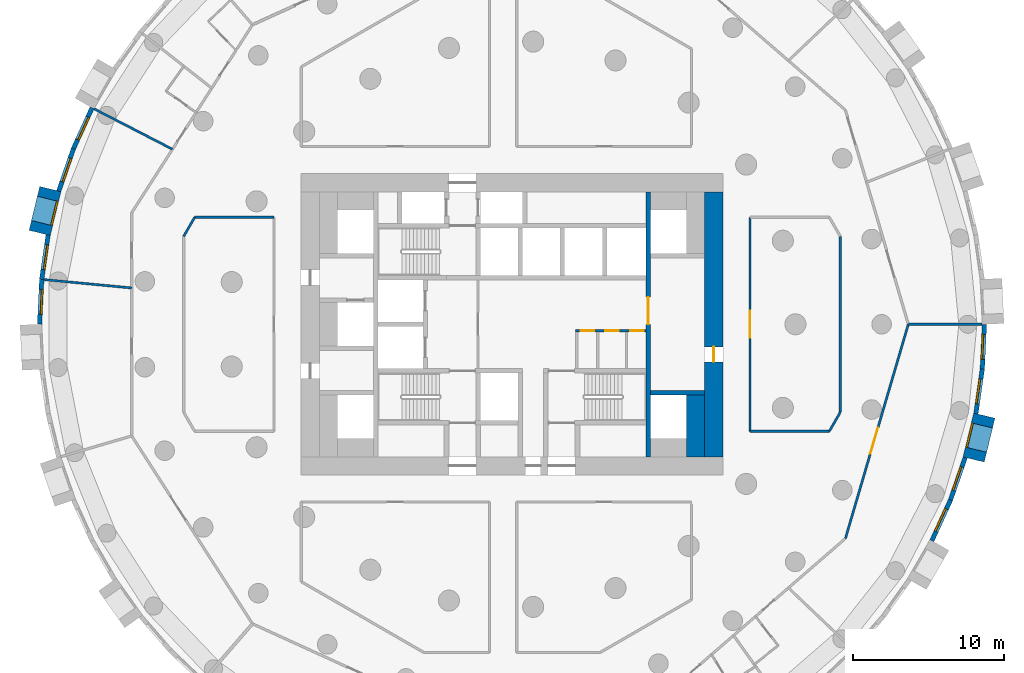
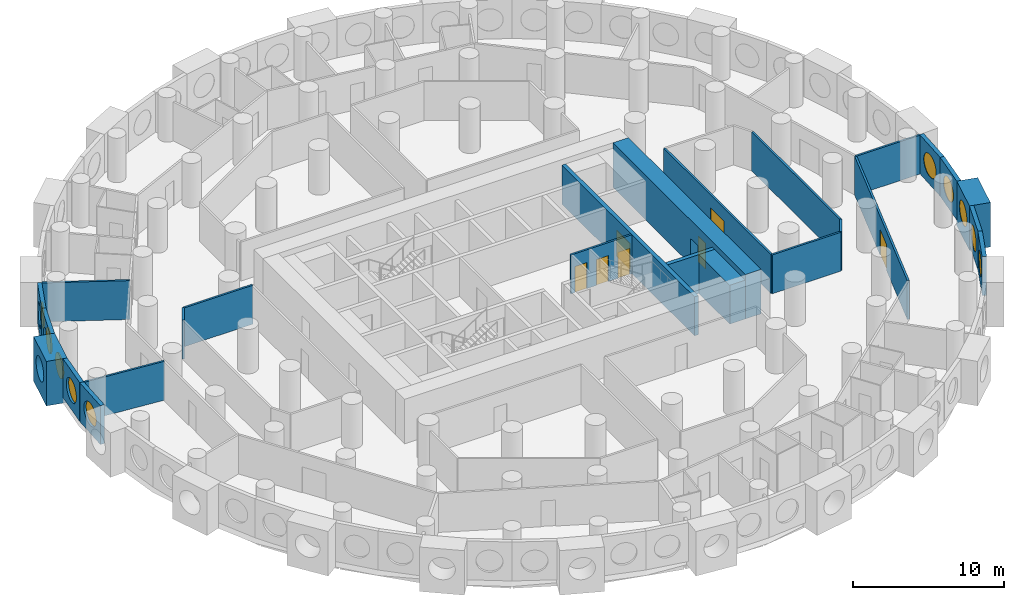
# One storey, part 6 of 11: 25 walls, 10 windows, 7 doors, 17 openings.
"""IFC4 building model written with IfcOpenShell, lengths in metres."""

from ifc_helpers import new_model, si_unit, direction, frame, frame_2d, origin, origin_2d, place, context, subcontext, project, spatial, rectangle, circle, extrude, material, layer, layer_set, type_object, element, fill, save


model = new_model("IFC4")

# Units and contexts
model_context = context("Model", 3, precision=1e-05, world=origin(), true_north=direction((0.0, 1.0)))
body_context = subcontext(model_context, "Body", "Model", "MODEL_VIEW")
ifc_project = project(units=[si_unit("LENGTHUNIT", "METRE"), si_unit("AREAUNIT", "SQUARE_METRE"), si_unit("VOLUMEUNIT", "CUBIC_METRE"), si_unit("PLANEANGLEUNIT", "RADIAN"), si_unit("MASSUNIT", "GRAM", prefix="KILO")], contexts=[model_context])

# Site, building, storey
site_placement = place(None, origin())
site = spatial("IfcSite", under=ifc_project, at=site_placement, CompositionType="ELEMENT")
building_placement = place(site_placement, origin())
building = spatial("IfcBuilding", under=site, at=building_placement, Name="Tracery Tower", CompositionType="ELEMENT")
storey_placement = place(building_placement, frame((0.0, 0.0, 93.0)))
storey = spatial("IfcBuildingStorey", under=building, at=storey_placement, Name="L23", CompositionType="ELEMENT", Elevation=93.0)

# Wall, openings, doors
ifc_material_1 = material(Name="Plasterboard on steel studs", Category="steel")
ifc_layer_1 = layer(ifc_material_1, 0.14990234375)
ifc_layer_set_1 = layer_set([ifc_layer_1], Name="Core room partition 150")
wall_type_1 = type_object("IfcWallType", Name="Core room partition 150", PredefinedType="SOLIDWALL", material=ifc_layer_set_1)
wall_1_placement = place(storey_placement, frame((4.22509765625, -0.425048828125, 0.0), z_axis=(0.0, 0.0, 1.0), x_axis=(1.0, 0.0, 0.0)))
wall_1 = element("IfcWall", 1, at=wall_1_placement, inside=storey, type_object=wall_type_1, Name="L23 slot N", PredefinedType="SOLIDWALL", context=body_context, shape_type="SweptSolid", body=[
    extrude(rectangle(XDim=4.6748046875, YDim=0.14990234375, at=frame_2d((2.33740234375, 0.0))), origin(), (0.0, 0.0, 1.0), 3.14990234375),
])
opening_1_placement = place(wall_1_placement, frame((0.324951171875, 0.0, 0.0)))
opening_1 = element("IfcOpeningElement", 2, at=opening_1_placement, cuts=wall_1, Name="Opening KD27", PredefinedType="OPENING", context=body_context, shape_type="SweptSolid", body=[
    extrude(rectangle(XDim=0.89990234375, YDim=2.10009765625, at=frame_2d((0.449951171875, 1.050048828125))), frame((0.0, 0.074951171875, 0.0), z_axis=(0.0, -1.0, 0.0), x_axis=(1.0, 0.0, 0.0)), (0.0, 0.0, 1.0), 0.14990234375),
])
opening_2_placement = place(wall_1_placement, frame((1.97509765625, 0.0, 0.0)))
opening_2 = element("IfcOpeningElement", 3, at=opening_2_placement, cuts=wall_1, Name="Opening KD21", PredefinedType="OPENING", context=body_context, shape_type="SweptSolid", body=[
    extrude(rectangle(XDim=0.89990234375, YDim=2.10009765625, at=frame_2d((0.449951171875, 1.050048828125))), frame((0.0, 0.074951171875, 0.0), z_axis=(0.0, -1.0, 0.0), x_axis=(1.0, 0.0, 0.0)), (0.0, 0.0, 1.0), 0.14990234375),
])
opening_3_placement = place(wall_1_placement, frame((3.612548828125, 0.0, 0.0)))
opening_3 = element("IfcOpeningElement", 4, at=opening_3_placement, cuts=wall_1, Name="Opening KD27", PredefinedType="OPENING", context=body_context, shape_type="SweptSolid", body=[
    extrude(rectangle(XDim=0.89990234375, YDim=2.10009765625, at=frame_2d((0.449951171875, 1.050048828125))), frame((0.0, 0.074951171875, 0.0), z_axis=(0.0, -1.0, 0.0), x_axis=(1.0, 0.0, 0.0)), (0.0, 0.0, 1.0), 0.14990234375),
])
ifc_material_2 = material(Name="Timber door leaf", Category="wood")
door_type_1 = type_object("IfcDoorType", Name="Core WC door 900", OperationType="NOTDEFINED", PredefinedType="DOOR", material=ifc_material_2)
door_1_placement = place(opening_2_placement, origin())
door_1 = element("IfcDoor", 5, at=door_1_placement, inside=storey, type_object=door_type_1, Name="Core door", OperationType="SINGLE_SWING_LEFT", OverallHeight=2.10009765625, OverallWidth=0.89990234375, PredefinedType="DOOR", context=body_context, shape_type="SweptSolid", body=[
    extrude(rectangle(XDim=0.89990234375, YDim=2.10009765625, at=frame_2d((0.449951171875, 1.050048828125))), frame((0.0, 0.02490234375, 0.0), z_axis=(0.0, -1.0, 0.0), x_axis=(1.0, 0.0, 0.0)), (0.0, 0.0, 1.0), 0.050048828125),
])
fill(opening_2, door_1)
ifc_material_3 = material(Name="Timber door leaf", Category="wood")
door_type_2 = type_object("IfcDoorType", Name="Core store door 900", OperationType="NOTDEFINED", PredefinedType="DOOR", material=ifc_material_3)
door_2_placement = place(opening_1_placement, origin())
door_2 = element("IfcDoor", 6, at=door_2_placement, inside=storey, type_object=door_type_2, Name="Core door", OperationType="SINGLE_SWING_RIGHT", OverallHeight=2.10009765625, OverallWidth=0.89990234375, PredefinedType="DOOR", context=body_context, shape_type="SweptSolid", body=[
    extrude(rectangle(XDim=0.89990234375, YDim=2.10009765625, at=frame_2d((0.449951171875, 1.050048828125))), frame((0.0, 0.02490234375, 0.0), z_axis=(0.0, -1.0, 0.0), x_axis=(1.0, 0.0, 0.0)), (0.0, 0.0, 1.0), 0.050048828125),
])
fill(opening_1, door_2)
door_3_placement = place(opening_3_placement, origin())
door_3 = element("IfcDoor", 7, at=door_3_placement, inside=storey, type_object=door_type_2, Name="Core door", OperationType="SINGLE_SWING_RIGHT", OverallHeight=2.10009765625, OverallWidth=0.89990234375, PredefinedType="DOOR", context=body_context, shape_type="SweptSolid", body=[
    extrude(rectangle(XDim=0.89990234375, YDim=2.10009765625, at=frame_2d((0.449951171875, 1.050048828125))), frame((0.0, 0.02490234375, 0.0), z_axis=(0.0, -1.0, 0.0), x_axis=(1.0, 0.0, 0.0)), (0.0, 0.0, 1.0), 0.050048828125),
])
fill(opening_3, door_3)

# Wall
ifc_material_4 = material(Name="Concrete C60/75", Category="concrete")
ifc_layer_2 = layer(ifc_material_4, 1.199951171875)
ifc_layer_set_2 = layer_set([ifc_layer_2], Name="Core strip wall 1200 C60")
wall_type_2 = type_object("IfcWallType", Name="Core strip wall 1200 C60", PredefinedType="SOLIDWALL", material=ifc_layer_set_2)
wall_2_placement = place(storey_placement, frame((12.199951171875, -8.800048828125, 0.0), z_axis=(0.0, 0.0, 1.0), x_axis=(0.0, 1.0, 0.0)))
element("IfcWall", 8, at=wall_2_placement, inside=storey, type_object=wall_type_2, Name="L23 wing strip +1 -9.4", PredefinedType="SOLIDWALL", context=body_context, shape_type="SweptSolid", body=[
    extrude(rectangle(XDim=4.10009765625, YDim=1.199951171875, at=frame_2d((2.050048828125, 0.0))), origin(), (0.0, 0.0, 1.0), 3.14990234375),
])

# Wall, opening, door
ifc_material_5 = material(Name="Concrete C60/75", Category="concrete")
ifc_layer_3 = layer(ifc_material_5, 1.199951171875)
ifc_layer_set_3 = layer_set([ifc_layer_3], Name="Core wall 1200 C60")
wall_type_3 = type_object("IfcWallType", Name="Core wall 1200 C60", PredefinedType="SOLIDWALL", material=ifc_layer_set_3)
wall_3_placement = place(storey_placement, frame((13.39990234375, -8.800048828125, 0.0), z_axis=(0.0, 0.0, 1.0), x_axis=(0.0, 1.0, 0.0)))
wall_3 = element("IfcWall", 9, at=wall_3_placement, inside=storey, type_object=wall_type_3, Name="L23 outer E", PredefinedType="SOLIDWALL", context=body_context, shape_type="SweptSolid", body=[
    extrude(rectangle(XDim=17.60009765625, YDim=1.199951171875, at=frame_2d((8.800048828125, 0.0))), origin(), (0.0, 0.0, 1.0), 3.60009765625),
])
opening_4_placement = place(wall_3_placement, frame((6.300048828125, 0.0, 0.0)))
opening_4 = element("IfcOpeningElement", 10, at=opening_4_placement, cuts=wall_3, Name="Opening KD18", PredefinedType="OPENING", context=body_context, shape_type="SweptSolid", body=[
    extrude(rectangle(XDim=1.0, YDim=2.10009765625, at=frame_2d((0.5, 1.050048828125))), frame((0.0, 0.60009765625, 0.0), z_axis=(0.0, -1.0, 0.0), x_axis=(1.0, 0.0, 0.0)), (0.0, 0.0, 1.0), 1.199951171875),
])
ifc_material_6 = material(Name="Steel fire door", Category="steel")
door_type_3 = type_object("IfcDoorType", Name="Core exit door 1000", OperationType="NOTDEFINED", PredefinedType="DOOR", material=ifc_material_6)
door_4_placement = place(opening_4_placement, origin())
door_4 = element("IfcDoor", 11, at=door_4_placement, inside=storey, type_object=door_type_3, Name="Core exit door", OperationType="DOUBLE_DOOR_SINGLE_SWING", OverallHeight=2.10009765625, OverallWidth=1.0, PredefinedType="DOOR", context=body_context, shape_type="SweptSolid", body=[
    extrude(rectangle(XDim=1.0, YDim=2.10009765625, at=frame_2d((0.5, 1.050048828125))), frame((0.0, 0.02490234375, 0.0), z_axis=(0.0, -1.0, 0.0), x_axis=(1.0, 0.0, 0.0)), (0.0, 0.0, 1.0), 0.050048828125),
])
fill(opening_4, door_4)

# Wall, opening, window
ifc_material_7 = material(Name="Precast concrete C50/60", Category="concrete")
ifc_layer_4 = layer(ifc_material_7, 1.449951171875)
ifc_layer_set_4 = layer_set([ifc_layer_4], Name="Deep-set bay unit 3000 x 3600, slab edge 450")
wall_type_4 = type_object("IfcWallType", Name="Deep-set bay unit 3000 x 3600, slab edge 450", PredefinedType="ELEMENTEDWALL", material=ifc_layer_set_4)
wall_4_placement = place(storey_placement, frame((-30.66064453125, 8.981689453125, -0.449951171875), z_axis=(0.0, 0.0, 1.0), x_axis=(-0.235751415068, -0.971813392732, 0.0)))
wall_4 = element("IfcWall", 12, at=wall_4_placement, inside=storey, type_object=wall_type_4, Name="Deep-set bay unit 31 at L23", PredefinedType="ELEMENTEDWALL", context=body_context, shape_type="SweptSolid", body=[
    extrude(rectangle(XDim=3.0, YDim=1.449951171875, at=frame_2d((1.5, 0.0))), origin(), (0.0, 0.0, 1.0), 3.599853515625),
])
opening_5_placement = place(wall_4_placement, frame((1.5, 0.0, 2.0)))
opening_5 = element("IfcOpeningElement", 13, at=opening_5_placement, cuts=wall_4, Name="Opening WN1", PredefinedType="OPENING", context=body_context, shape_type="SweptSolid", body=[
    extrude(circle(Radius=0.9000244140625, at=origin_2d()), frame((0.0, 0.73486328125, 0.0), z_axis=(0.0, -1.0, 0.0), x_axis=(1.0, 0.0, 0.0)), (0.0, 0.0, 1.0), 1.469970703125),
])
ifc_material_8 = material(Name="Aluminium frame with tinted double glazing", Category="aluminium")
window_type = type_object("IfcWindowType", Name="Round window 1800", PartitioningType="SINGLE_PANEL", PredefinedType="WINDOW", material=ifc_material_8)
window_1_placement = place(opening_5_placement, origin())
window_1 = element("IfcWindow", 14, at=window_1_placement, inside=storey, type_object=window_type, Name="Round window 31 at L23", OverallHeight=1.800048828125, OverallWidth=1.800048828125, PartitioningType="SINGLE_PANEL", PredefinedType="WINDOW", context=body_context, shape_type="SweptSolid", body=[
    extrude(circle(Radius=0.9000244140625, at=origin_2d()), frame((0.0, 0.69482421875, 0.0), z_axis=(0.0, -1.0, 0.0), x_axis=(1.0, 0.0, 0.0)), (0.0, 0.0, 1.0), 0.10009765625),
])
fill(opening_5, window_1)

wall_5_placement = place(storey_placement, frame((30.66064453125, -8.981689453125, -0.449951171875), z_axis=(0.0, 0.0, 1.0), x_axis=(0.235751415068, 0.971813392732, 0.0)))
wall_5 = element("IfcWall", 15, at=wall_5_placement, inside=storey, type_object=wall_type_4, Name="Deep-set bay unit 64 at L23", PredefinedType="ELEMENTEDWALL", context=body_context, shape_type="SweptSolid", body=[
    extrude(rectangle(XDim=3.0, YDim=1.449951171875, at=frame_2d((1.5, 0.0))), origin(), (0.0, 0.0, 1.0), 3.599853515625),
])
opening_6_placement = place(wall_5_placement, frame((1.5, 0.0, 2.0)))
opening_6 = element("IfcOpeningElement", 16, at=opening_6_placement, cuts=wall_5, Name="Opening WN1", PredefinedType="OPENING", context=body_context, shape_type="SweptSolid", body=[
    extrude(circle(Radius=0.9000244140625, at=origin_2d()), frame((0.0, 0.73486328125, 0.0), z_axis=(0.0, -1.0, 0.0), x_axis=(1.0, 0.0, 0.0)), (0.0, 0.0, 1.0), 1.469970703125),
])
window_2_placement = place(opening_6_placement, origin())
window_2 = element("IfcWindow", 17, at=window_2_placement, inside=storey, type_object=window_type, Name="Round window 64 at L23", OverallHeight=1.800048828125, OverallWidth=1.800048828125, PartitioningType="SINGLE_PANEL", PredefinedType="WINDOW", context=body_context, shape_type="SweptSolid", body=[
    extrude(circle(Radius=0.9000244140625, at=origin_2d()), frame((0.0, 0.69482421875, 0.0), z_axis=(0.0, -1.0, 0.0), x_axis=(1.0, 0.0, 0.0)), (0.0, 0.0, 1.0), 0.10009765625),
])
fill(opening_6, window_2)

ifc_material_9 = material(Name="Precast concrete C50/60", Category="concrete")
ifc_layer_5 = layer(ifc_material_9, 0.300048828125)
ifc_layer_set_5 = layer_set([ifc_layer_5], Name="Facade panel 3000 x 3150")
wall_type_5 = type_object("IfcWallType", Name="Facade panel 3000 x 3150", PredefinedType="SOLIDWALL", material=ifc_layer_set_5)
wall_6_placement = place(storey_placement, frame((-27.88916015625, 14.37109375, 0.0), z_axis=(0.0, 0.0, 1.0), x_axis=(-0.415407317162, -0.909635509888, 0.0)))
wall_6 = element("IfcWall", 18, at=wall_6_placement, inside=storey, type_object=wall_type_5, Name="Facade panel 29 at L23", PredefinedType="SOLIDWALL", context=body_context, shape_type="SweptSolid", body=[
    extrude(rectangle(XDim=2.979736328125, YDim=0.300048828125, at=frame_2d((1.48974609375, 0.0))), origin(), (0.0, 0.0, 1.0), 3.14990234375),
])
opening_7_placement = place(wall_6_placement, frame((1.48974609375, 0.0, 1.5498046875)))
opening_7 = element("IfcOpeningElement", 19, at=opening_7_placement, cuts=wall_6, Name="Opening WN1", PredefinedType="OPENING", context=body_context, shape_type="SweptSolid", body=[
    extrude(circle(Radius=0.9000244140625, at=origin_2d()), frame((0.0, 0.159912109375, 0.0), z_axis=(0.0, -1.0, 0.0), x_axis=(1.0, 0.0, 0.0)), (0.0, 0.0, 1.0), 0.320068359375),
])
window_3_placement = place(opening_7_placement, origin())
window_3 = element("IfcWindow", 20, at=window_3_placement, inside=storey, type_object=window_type, Name="Round window 29 at L23", OverallHeight=1.800048828125, OverallWidth=1.800048828125, PartitioningType="SINGLE_PANEL", PredefinedType="WINDOW", context=body_context, shape_type="SweptSolid", body=[
    extrude(circle(Radius=0.9000244140625, at=origin_2d()), frame((0.0, 0.1201171875, 0.0), z_axis=(0.0, -1.0, 0.0), x_axis=(1.0, 0.0, 0.0)), (0.0, 0.0, 1.0), 0.10009765625),
])
fill(opening_7, window_3)

wall_7_placement = place(storey_placement, frame((-29.126953125, 11.66064453125, 0.0), z_axis=(0.0, 0.0, 1.0), x_axis=(-0.327096492592, -0.944990944154, 0.0)))
wall_7 = element("IfcWall", 21, at=wall_7_placement, inside=storey, type_object=wall_type_5, Name="Facade panel 30 at L23", PredefinedType="SOLIDWALL", context=body_context, shape_type="SweptSolid", body=[
    extrude(rectangle(XDim=2.9794921875, YDim=0.300048828125, at=frame_2d((1.48974609375, 0.0))), origin(), (0.0, 0.0, 1.0), 3.14990234375),
])
opening_8_placement = place(wall_7_placement, frame((1.48974609375, 0.0, 1.5498046875)))
opening_8 = element("IfcOpeningElement", 22, at=opening_8_placement, cuts=wall_7, Name="Opening WN1", PredefinedType="OPENING", context=body_context, shape_type="SweptSolid", body=[
    extrude(circle(Radius=0.9000244140625, at=origin_2d()), frame((0.0, 0.159912109375, 0.0), z_axis=(0.0, -1.0, 0.0), x_axis=(1.0, 0.0, 0.0)), (0.0, 0.0, 1.0), 0.320068359375),
])
window_4_placement = place(opening_8_placement, origin())
window_4 = element("IfcWindow", 23, at=window_4_placement, inside=storey, type_object=window_type, Name="Round window 30 at L23", OverallHeight=1.800048828125, OverallWidth=1.800048828125, PartitioningType="SINGLE_PANEL", PredefinedType="WINDOW", context=body_context, shape_type="SweptSolid", body=[
    extrude(circle(Radius=0.9000244140625, at=origin_2d()), frame((0.0, 0.1201171875, 0.0), z_axis=(0.0, -1.0, 0.0), x_axis=(1.0, 0.0, 0.0)), (0.0, 0.0, 1.0), 0.10009765625),
])
fill(opening_8, window_4)

wall_8_placement = place(storey_placement, frame((-30.808349609375, 5.931640625, 0.0), z_axis=(0.0, 0.0, 1.0), x_axis=(-0.142327539111, -0.989819615693, 0.0)))
wall_8 = element("IfcWall", 24, at=wall_8_placement, inside=storey, type_object=wall_type_5, Name="Facade panel 32 at L23", PredefinedType="SOLIDWALL", context=body_context, shape_type="SweptSolid", body=[
    extrude(rectangle(XDim=2.9794921875, YDim=0.300048828125, at=frame_2d((1.48974609375, 0.0))), origin(), (0.0, 0.0, 1.0), 3.14990234375),
])
opening_9_placement = place(wall_8_placement, frame((1.48974609375, 0.0, 1.5498046875)))
opening_9 = element("IfcOpeningElement", 25, at=opening_9_placement, cuts=wall_8, Name="Opening WN1", PredefinedType="OPENING", context=body_context, shape_type="SweptSolid", body=[
    extrude(circle(Radius=0.9000244140625, at=origin_2d()), frame((0.0, 0.159912109375, 0.0), z_axis=(0.0, -1.0, 0.0), x_axis=(1.0, 0.0, 0.0)), (0.0, 0.0, 1.0), 0.320068359375),
])
window_5_placement = place(opening_9_placement, origin())
window_5 = element("IfcWindow", 26, at=window_5_placement, inside=storey, type_object=window_type, Name="Round window 32 at L23", OverallHeight=1.800048828125, OverallWidth=1.800048828125, PartitioningType="SINGLE_PANEL", PredefinedType="WINDOW", context=body_context, shape_type="SweptSolid", body=[
    extrude(circle(Radius=0.9000244140625, at=origin_2d()), frame((0.0, 0.1201171875, 0.0), z_axis=(0.0, -1.0, 0.0), x_axis=(1.0, 0.0, 0.0)), (0.0, 0.0, 1.0), 0.10009765625),
])
fill(opening_9, window_5)

wall_9_placement = place(storey_placement, frame((-31.232421875, 2.982421875, 0.0), z_axis=(0.0, 0.0, 1.0), x_axis=(-0.047522328113, -0.998870175914, 0.0)))
wall_9 = element("IfcWall", 27, at=wall_9_placement, inside=storey, type_object=wall_type_5, Name="Facade panel 33 at L23", PredefinedType="SOLIDWALL", context=body_context, shape_type="SweptSolid", body=[
    extrude(rectangle(XDim=2.979736328125, YDim=0.300048828125, at=frame_2d((1.48974609375, 0.0))), origin(), (0.0, 0.0, 1.0), 3.14990234375),
])
opening_10_placement = place(wall_9_placement, frame((1.48974609375, 0.0, 1.5498046875)))
opening_10 = element("IfcOpeningElement", 28, at=opening_10_placement, cuts=wall_9, Name="Opening WN1", PredefinedType="OPENING", context=body_context, shape_type="SweptSolid", body=[
    extrude(circle(Radius=0.9000244140625, at=origin_2d()), frame((0.0, 0.159912109375, 0.0), z_axis=(0.0, -1.0, 0.0), x_axis=(1.0, 0.0, 0.0)), (0.0, 0.0, 1.0), 0.320068359375),
])
window_6_placement = place(opening_10_placement, origin())
window_6 = element("IfcWindow", 29, at=window_6_placement, inside=storey, type_object=window_type, Name="Round window 33 at L23", OverallHeight=1.800048828125, OverallWidth=1.800048828125, PartitioningType="SINGLE_PANEL", PredefinedType="WINDOW", context=body_context, shape_type="SweptSolid", body=[
    extrude(circle(Radius=0.9000244140625, at=origin_2d()), frame((0.0, 0.1201171875, 0.0), z_axis=(0.0, -1.0, 0.0), x_axis=(1.0, 0.0, 0.0)), (0.0, 0.0, 1.0), 0.10009765625),
])
fill(opening_10, window_6)

wall_10_placement = place(storey_placement, frame((27.88916015625, -14.37109375, 0.0), z_axis=(0.0, 0.0, 1.0), x_axis=(0.415407317162, 0.909635509888, 0.0)))
wall_10 = element("IfcWall", 30, at=wall_10_placement, inside=storey, type_object=wall_type_5, Name="Facade panel 62 at L23", PredefinedType="SOLIDWALL", context=body_context, shape_type="SweptSolid", body=[
    extrude(rectangle(XDim=2.979736328125, YDim=0.300048828125, at=frame_2d((1.48974609375, 0.0))), origin(), (0.0, 0.0, 1.0), 3.14990234375),
])
opening_11_placement = place(wall_10_placement, frame((1.48974609375, 0.0, 1.5498046875)))
opening_11 = element("IfcOpeningElement", 31, at=opening_11_placement, cuts=wall_10, Name="Opening WN1", PredefinedType="OPENING", context=body_context, shape_type="SweptSolid", body=[
    extrude(circle(Radius=0.9000244140625, at=origin_2d()), frame((0.0, 0.159912109375, 0.0), z_axis=(0.0, -1.0, 0.0), x_axis=(1.0, 0.0, 0.0)), (0.0, 0.0, 1.0), 0.320068359375),
])
window_7_placement = place(opening_11_placement, origin())
window_7 = element("IfcWindow", 32, at=window_7_placement, inside=storey, type_object=window_type, Name="Round window 62 at L23", OverallHeight=1.800048828125, OverallWidth=1.800048828125, PartitioningType="SINGLE_PANEL", PredefinedType="WINDOW", context=body_context, shape_type="SweptSolid", body=[
    extrude(circle(Radius=0.9000244140625, at=origin_2d()), frame((0.0, 0.1201171875, 0.0), z_axis=(0.0, -1.0, 0.0), x_axis=(1.0, 0.0, 0.0)), (0.0, 0.0, 1.0), 0.10009765625),
])
fill(opening_11, window_7)

wall_11_placement = place(storey_placement, frame((29.126953125, -11.66064453125, 0.0), z_axis=(0.0, 0.0, 1.0), x_axis=(0.327096492592, 0.944990944154, 0.0)))
wall_11 = element("IfcWall", 33, at=wall_11_placement, inside=storey, type_object=wall_type_5, Name="Facade panel 63 at L23", PredefinedType="SOLIDWALL", context=body_context, shape_type="SweptSolid", body=[
    extrude(rectangle(XDim=2.9794921875, YDim=0.300048828125, at=frame_2d((1.48974609375, 0.0))), origin(), (0.0, 0.0, 1.0), 3.14990234375),
])
opening_12_placement = place(wall_11_placement, frame((1.48974609375, 0.0, 1.5498046875)))
opening_12 = element("IfcOpeningElement", 34, at=opening_12_placement, cuts=wall_11, Name="Opening WN1", PredefinedType="OPENING", context=body_context, shape_type="SweptSolid", body=[
    extrude(circle(Radius=0.9000244140625, at=origin_2d()), frame((0.0, 0.159912109375, 0.0), z_axis=(0.0, -1.0, 0.0), x_axis=(1.0, 0.0, 0.0)), (0.0, 0.0, 1.0), 0.320068359375),
])
window_8_placement = place(opening_12_placement, origin())
window_8 = element("IfcWindow", 35, at=window_8_placement, inside=storey, type_object=window_type, Name="Round window 63 at L23", OverallHeight=1.800048828125, OverallWidth=1.800048828125, PartitioningType="SINGLE_PANEL", PredefinedType="WINDOW", context=body_context, shape_type="SweptSolid", body=[
    extrude(circle(Radius=0.9000244140625, at=origin_2d()), frame((0.0, 0.1201171875, 0.0), z_axis=(0.0, -1.0, 0.0), x_axis=(1.0, 0.0, 0.0)), (0.0, 0.0, 1.0), 0.10009765625),
])
fill(opening_12, window_8)

wall_12_placement = place(storey_placement, frame((30.808349609375, -5.931640625, 0.0), z_axis=(0.0, 0.0, 1.0), x_axis=(0.142327539111, 0.989819615693, 0.0)))
wall_12 = element("IfcWall", 36, at=wall_12_placement, inside=storey, type_object=wall_type_5, Name="Facade panel 65 at L23", PredefinedType="SOLIDWALL", context=body_context, shape_type="SweptSolid", body=[
    extrude(rectangle(XDim=2.9794921875, YDim=0.300048828125, at=frame_2d((1.48974609375, 0.0))), origin(), (0.0, 0.0, 1.0), 3.14990234375),
])
opening_13_placement = place(wall_12_placement, frame((1.48974609375, 0.0, 1.5498046875)))
opening_13 = element("IfcOpeningElement", 37, at=opening_13_placement, cuts=wall_12, Name="Opening WN1", PredefinedType="OPENING", context=body_context, shape_type="SweptSolid", body=[
    extrude(circle(Radius=0.9000244140625, at=origin_2d()), frame((0.0, 0.159912109375, 0.0), z_axis=(0.0, -1.0, 0.0), x_axis=(1.0, 0.0, 0.0)), (0.0, 0.0, 1.0), 0.320068359375),
])
window_9_placement = place(opening_13_placement, origin())
window_9 = element("IfcWindow", 38, at=window_9_placement, inside=storey, type_object=window_type, Name="Round window 65 at L23", OverallHeight=1.800048828125, OverallWidth=1.800048828125, PartitioningType="SINGLE_PANEL", PredefinedType="WINDOW", context=body_context, shape_type="SweptSolid", body=[
    extrude(circle(Radius=0.9000244140625, at=origin_2d()), frame((0.0, 0.1201171875, 0.0), z_axis=(0.0, -1.0, 0.0), x_axis=(1.0, 0.0, 0.0)), (0.0, 0.0, 1.0), 0.10009765625),
])
fill(opening_13, window_9)

wall_13_placement = place(storey_placement, frame((31.232421875, -2.982421875, 0.0), z_axis=(0.0, 0.0, 1.0), x_axis=(0.047522328113, 0.998870175914, 0.0)))
wall_13 = element("IfcWall", 39, at=wall_13_placement, inside=storey, type_object=wall_type_5, Name="Facade panel 66 at L23", PredefinedType="SOLIDWALL", context=body_context, shape_type="SweptSolid", body=[
    extrude(rectangle(XDim=2.979736328125, YDim=0.300048828125, at=frame_2d((1.48974609375, 0.0))), origin(), (0.0, 0.0, 1.0), 3.14990234375),
])
opening_14_placement = place(wall_13_placement, frame((1.48974609375, 0.0, 1.5498046875)))
opening_14 = element("IfcOpeningElement", 40, at=opening_14_placement, cuts=wall_13, Name="Opening WN1", PredefinedType="OPENING", context=body_context, shape_type="SweptSolid", body=[
    extrude(circle(Radius=0.9000244140625, at=origin_2d()), frame((0.0, 0.159912109375, 0.0), z_axis=(0.0, -1.0, 0.0), x_axis=(1.0, 0.0, 0.0)), (0.0, 0.0, 1.0), 0.320068359375),
])
window_10_placement = place(opening_14_placement, origin())
window_10 = element("IfcWindow", 41, at=window_10_placement, inside=storey, type_object=window_type, Name="Round window 66 at L23", OverallHeight=1.800048828125, OverallWidth=1.800048828125, PartitioningType="SINGLE_PANEL", PredefinedType="WINDOW", context=body_context, shape_type="SweptSolid", body=[
    extrude(circle(Radius=0.9000244140625, at=origin_2d()), frame((0.0, 0.1201171875, 0.0), z_axis=(0.0, -1.0, 0.0), x_axis=(1.0, 0.0, 0.0)), (0.0, 0.0, 1.0), 0.10009765625),
])
fill(opening_14, window_10)

# Walls
ifc_material_10 = material(Name="Plasterboard on steel studs", Category="steel")
ifc_layer_6 = layer(ifc_material_10, 0.14990234375)
ifc_layer_set_6 = layer_set([ifc_layer_6], Name="Partition 150 acoustic unit wall")
wall_type_6 = type_object("IfcWallType", Name="Partition 150 acoustic unit wall", PredefinedType="PARTITIONING", material=ifc_layer_set_6)
wall_14_placement = place(storey_placement, frame((26.319091796875, 0.0, 0.0), z_axis=(0.0, 0.0, 1.0), x_axis=(1.0, 0.0, 0.0)))
element("IfcWall", 42, at=wall_14_placement, inside=storey, type_object=wall_type_6, Name="Unit wall RA7-047", PredefinedType="PARTITIONING", context=body_context, shape_type="SweptSolid", body=[
    extrude(rectangle(XDim=4.905029296875, YDim=0.14990234375, at=frame_2d((2.45263671875, 0.0))), origin(), (0.0, 0.0, 1.0), 3.14990234375),
])
wall_15_placement = place(storey_placement, frame((-27.7529296875, 14.30810546875, 0.0), z_axis=(0.0, 0.0, 1.0), x_axis=(0.88877955153, -0.45833493079, 0.0)))
element("IfcWall", 43, at=wall_15_placement, inside=storey, type_object=wall_type_6, Name="Unit wall RA7-068", PredefinedType="PARTITIONING", context=body_context, shape_type="SweptSolid", body=[
    extrude(rectangle(XDim=5.856201171875, YDim=0.14990234375, at=frame_2d((2.92822265625, 0.0))), origin(), (0.0, 0.0, 1.0), 3.14990234375),
])
wall_16_placement = place(storey_placement, frame((-31.0830078125, 2.968017578125, 0.0), z_axis=(0.0, 0.0, 1.0), x_axis=(0.995465070325, -0.095127775983, 0.0)))
element("IfcWall", 44, at=wall_16_placement, inside=storey, type_object=wall_type_6, Name="Unit wall RA7-069", PredefinedType="PARTITIONING", context=body_context, shape_type="SweptSolid", body=[
    extrude(rectangle(XDim=5.856689453125, YDim=0.14990234375, at=frame_2d((2.92822265625, 0.0))), origin(), (0.0, 0.0, 1.0), 3.14990234375),
])

# Wall, opening, door
ifc_material_11 = material(Name="Plasterboard on steel studs", Category="steel")
ifc_layer_7 = layer(ifc_material_11, 0.14990234375)
ifc_layer_set_7 = layer_set([ifc_layer_7], Name="Partition 150 corridor wall")
wall_type_7 = type_object("IfcWallType", Name="Partition 150 corridor wall", PredefinedType="PARTITIONING", material=ifc_layer_set_7)
wall_17_placement = place(storey_placement, frame((15.800048828125, -7.10400390625, 0.0), z_axis=(0.0, 0.0, 1.0), x_axis=(0.0, 1.0, 0.0)))
wall_17 = element("IfcWall", 45, at=wall_17_placement, inside=storey, type_object=wall_type_7, Name="Corridor wall RA7-005", PredefinedType="PARTITIONING", context=body_context, shape_type="SweptSolid", body=[
    extrude(rectangle(XDim=14.2080078125, YDim=0.14990234375, at=frame_2d((7.10400390625, 0.0))), origin(), (0.0, 0.0, 1.0), 3.14990234375),
])
opening_15_placement = place(wall_17_placement, frame((6.2041015625, 0.0, 0.0)))
opening_15 = element("IfcOpeningElement", 46, at=opening_15_placement, cuts=wall_17, Name="Opening RA7-05", PredefinedType="OPENING", context=body_context, shape_type="SweptSolid", body=[
    extrude(rectangle(XDim=1.800048828125, YDim=2.10009765625, at=frame_2d((0.89990234375, 1.050048828125))), frame((0.0, 0.074951171875, 0.0), z_axis=(0.0, -1.0, 0.0), x_axis=(1.0, 0.0, 0.0)), (0.0, 0.0, 1.0), 0.14990234375),
])
ifc_material_12 = material(Name="Timber door leaf", Category="wood")
door_type_4 = type_object("IfcDoorType", Name="Door double lounge 1800", OperationType="NOTDEFINED", PredefinedType="DOOR", material=ifc_material_12)
door_5_placement = place(opening_15_placement, origin())
door_5 = element("IfcDoor", 47, at=door_5_placement, inside=storey, type_object=door_type_4, Name="Double lounge door RA7-05", OperationType="DOUBLE_DOOR_SINGLE_SWING", OverallHeight=2.10009765625, OverallWidth=1.800048828125, PredefinedType="DOOR", context=body_context, shape_type="SweptSolid", body=[
    extrude(rectangle(XDim=1.800048828125, YDim=2.10009765625, at=frame_2d((0.89990234375, 1.050048828125))), frame((0.0, 0.02490234375, 0.0), z_axis=(0.0, -1.0, 0.0), x_axis=(1.0, 0.0, 0.0)), (0.0, 0.0, 1.0), 0.050048828125),
])
fill(opening_15, door_5)

# Walls
wall_18_placement = place(storey_placement, frame((15.800048828125, -7.10009765625, 0.0), z_axis=(0.0, 0.0, 1.0), x_axis=(1.0, 0.0, 0.0)))
element("IfcWall", 48, at=wall_18_placement, inside=storey, type_object=wall_type_7, Name="Corridor wall RA7-007", PredefinedType="PARTITIONING", context=body_context, shape_type="SweptSolid", body=[
    extrude(rectangle(XDim=5.27587890625, YDim=0.14990234375, at=frame_2d((2.637939453125, 0.0))), origin(), (0.0, 0.0, 1.0), 3.14990234375),
])
wall_19_placement = place(storey_placement, frame((21.075927734375, -7.10009765625, 0.0), z_axis=(0.0, 0.0, 1.0), x_axis=(0.499863102386, 0.866104427234, 0.0)))
element("IfcWall", 49, at=wall_19_placement, inside=storey, type_object=wall_type_7, Name="Corridor wall RA7-008", PredefinedType="PARTITIONING", context=body_context, shape_type="SweptSolid", body=[
    extrude(rectangle(XDim=1.45263671875, YDim=0.14990234375, at=frame_2d((0.726318359375, 0.0))), origin(), (0.0, 0.0, 1.0), 3.14990234375),
])
wall_20_placement = place(storey_placement, frame((21.802001953125, -5.842041015625, 0.0), z_axis=(0.0, 0.0, 1.0), x_axis=(0.0, 1.0, 0.0)))
element("IfcWall", 50, at=wall_20_placement, inside=storey, type_object=wall_type_7, Name="Corridor wall RA7-009", PredefinedType="PARTITIONING", context=body_context, shape_type="SweptSolid", body=[
    extrude(rectangle(XDim=11.68408203125, YDim=0.14990234375, at=frame_2d((5.842041015625, 0.0))), origin(), (0.0, 0.0, 1.0), 3.14990234375),
])

# Wall, opening, door
wall_21_placement = place(storey_placement, frame((22.14111328125, -14.22900390625, 0.0), z_axis=(0.0, 0.0, 1.0), x_axis=(0.281730446162, 0.959493593363, 0.0)))
wall_21 = element("IfcWall", 51, at=wall_21_placement, inside=storey, type_object=wall_type_7, Name="Corridor wall RA7-015", PredefinedType="PARTITIONING", context=body_context, shape_type="SweptSolid", body=[
    extrude(rectangle(XDim=14.82958984375, YDim=0.14990234375, at=frame_2d((7.414794921875, 0.0))), origin(), (0.0, 0.0, 1.0), 3.14990234375),
])
opening_16_placement = place(wall_21_placement, frame((5.86474609375, 0.0, 0.0)))
opening_16 = element("IfcOpeningElement", 52, at=opening_16_placement, cuts=wall_21, Name="Opening RA7-37", PredefinedType="OPENING", context=body_context, shape_type="SweptSolid", body=[
    extrude(rectangle(XDim=1.800048828125, YDim=2.10009765625, at=frame_2d((0.89990234375, 1.050048828125))), frame((0.0, 0.074951171875, 0.0), z_axis=(0.0, -1.0, 0.0), x_axis=(1.0, 0.0, 0.0)), (0.0, 0.0, 1.0), 0.14990234375),
])
door_6_placement = place(opening_16_placement, origin())
door_6 = element("IfcDoor", 53, at=door_6_placement, inside=storey, type_object=door_type_4, Name="Double lounge door RA7-37", OperationType="DOUBLE_DOOR_SINGLE_SWING", OverallHeight=2.10009765625, OverallWidth=1.800048828125, PredefinedType="DOOR", context=body_context, shape_type="SweptSolid", body=[
    extrude(rectangle(XDim=1.800048828125, YDim=2.10009765625, at=frame_2d((0.89990234375, 1.050048828125))), frame((0.0, 0.02490234375, 0.0), z_axis=(0.0, -1.0, 0.0), x_axis=(1.0, 0.0, 0.0)), (0.0, 0.0, 1.0), 0.050048828125),
])
fill(opening_16, door_6)

# Walls
wall_22_placement = place(storey_placement, frame((-21.075927734375, 7.10009765625, 0.0), z_axis=(0.0, 0.0, 1.0), x_axis=(1.0, 0.0, 0.0)))
element("IfcWall", 54, at=wall_22_placement, inside=storey, type_object=wall_type_7, Name="Corridor wall RA7-028", PredefinedType="PARTITIONING", context=body_context, shape_type="SweptSolid", body=[
    extrude(rectangle(XDim=5.27587890625, YDim=0.14990234375, at=frame_2d((2.637939453125, 0.0))), origin(), (0.0, 0.0, 1.0), 3.14990234375),
])
wall_23_placement = place(storey_placement, frame((-21.802001953125, 5.842041015625, 0.0), z_axis=(0.0, 0.0, 1.0), x_axis=(0.499863102386, 0.866104427234, 0.0)))
element("IfcWall", 55, at=wall_23_placement, inside=storey, type_object=wall_type_7, Name="Corridor wall RA7-029", PredefinedType="PARTITIONING", context=body_context, shape_type="SweptSolid", body=[
    extrude(rectangle(XDim=1.45263671875, YDim=0.14990234375, at=frame_2d((0.726318359375, 0.0))), origin(), (0.0, 0.0, 1.0), 3.14990234375),
])
ifc_material_13 = material(Name="Concrete C60/75", Category="concrete")
ifc_layer_8 = layer(ifc_material_13, 0.300048828125)
ifc_layer_set_8 = layer_set([ifc_layer_8], Name="Shaft wall 300 C60")
wall_type_8 = type_object("IfcWallType", Name="Shaft wall 300 C60", PredefinedType="SOLIDWALL", material=ifc_layer_set_8)
wall_24_placement = place(storey_placement, frame((9.199951171875, -4.550048828125, 0.0), z_axis=(0.0, 0.0, 1.0), x_axis=(1.0, 0.0, 0.0)))
element("IfcWall", 56, at=wall_24_placement, inside=storey, type_object=wall_type_8, Name="L23 wing shaft wall +1 -4.55", PredefinedType="SOLIDWALL", context=body_context, shape_type="SweptSolid", body=[
    extrude(rectangle(XDim=3.60009765625, YDim=0.300048828125, at=frame_2d((1.800048828125, 0.0))), origin(), (0.0, 0.0, 1.0), 3.14990234375),
])

# Wall, opening, door
ifc_material_14 = material(Name="Concrete C60/75", Category="concrete")
ifc_layer_9 = layer(ifc_material_14, 0.300048828125)
ifc_layer_set_9 = layer_set([ifc_layer_9], Name="Stair wall 300 C60")
wall_type_9 = type_object("IfcWallType", Name="Stair wall 300 C60", PredefinedType="SOLIDWALL", material=ifc_layer_set_9)
wall_25_placement = place(storey_placement, frame((9.050048828125, -8.800048828125, 0.0), z_axis=(0.0, 0.0, 1.0), x_axis=(0.0, 1.0, 0.0)))
wall_25 = element("IfcWall", 57, at=wall_25_placement, inside=storey, type_object=wall_type_9, Name="L23 F wall +9", PredefinedType="SOLIDWALL", context=body_context, shape_type="SweptSolid", body=[
    extrude(rectangle(XDim=17.60009765625, YDim=0.300048828125, at=frame_2d((8.800048828125, 0.0))), origin(), (0.0, 0.0, 1.0), 3.14990234375),
])
opening_17_placement = place(wall_25_placement, frame((8.800048828125, 0.0, 0.0)))
opening_17 = element("IfcOpeningElement", 58, at=opening_17_placement, cuts=wall_25, Name="Opening KD13", PredefinedType="OPENING", context=body_context, shape_type="SweptSolid", body=[
    extrude(rectangle(XDim=1.800048828125, YDim=2.10009765625, at=frame_2d((0.89990234375, 1.050048828125))), frame((0.0, 0.14990234375, 0.0), z_axis=(0.0, -1.0, 0.0), x_axis=(1.0, 0.0, 0.0)), (0.0, 0.0, 1.0), 0.300048828125),
])
ifc_material_15 = material(Name="Steel fire door", Category="steel")
door_type_5 = type_object("IfcDoorType", Name="Core exit door 1800 double", OperationType="NOTDEFINED", PredefinedType="DOOR", material=ifc_material_15)
door_7_placement = place(opening_17_placement, origin())
door_7 = element("IfcDoor", 59, at=door_7_placement, inside=storey, type_object=door_type_5, Name="Core exit door", OperationType="DOUBLE_DOOR_SINGLE_SWING", OverallHeight=2.10009765625, OverallWidth=1.800048828125, PredefinedType="DOOR", context=body_context, shape_type="SweptSolid", body=[
    extrude(rectangle(XDim=1.800048828125, YDim=2.10009765625, at=frame_2d((0.89990234375, 1.050048828125))), frame((0.0, 0.02490234375, 0.0), z_axis=(0.0, -1.0, 0.0), x_axis=(1.0, 0.0, 0.0)), (0.0, 0.0, 1.0), 0.050048828125),
])
fill(opening_17, door_7)

save(model, "model.ifc")
